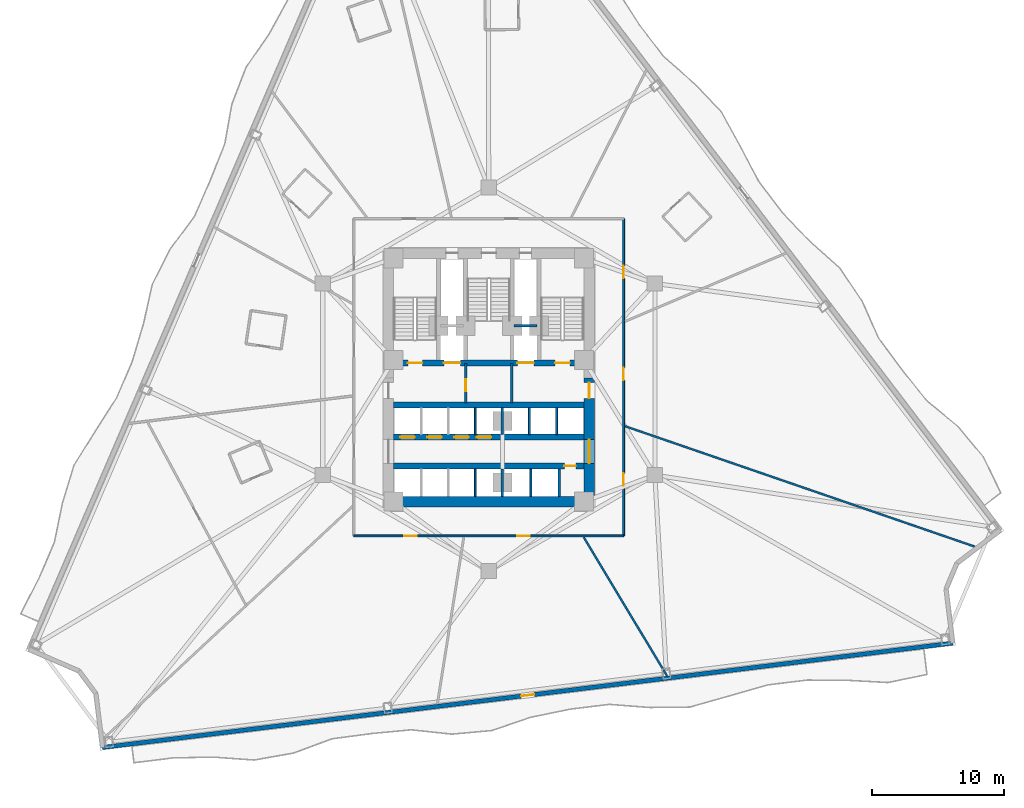
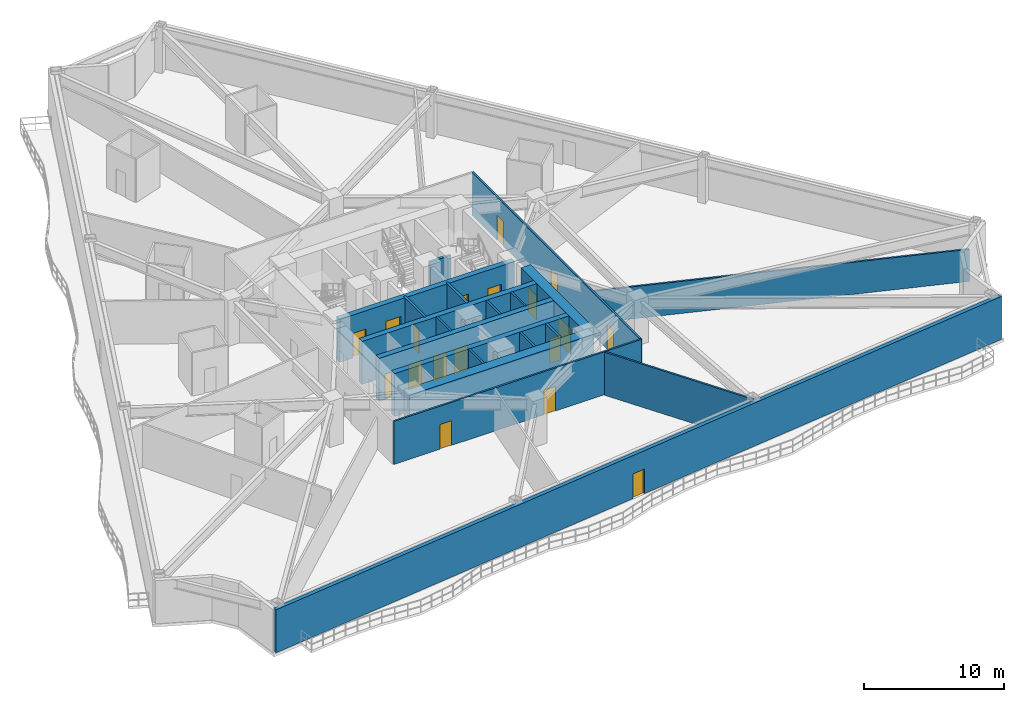
# One storey, part 4 of 12: 22 walls, 18 doors, 18 openings.
"""IFC4 building model written with IfcOpenShell, lengths in metres."""

from ifc_helpers import new_model, si_unit, direction, frame, frame_2d, origin, place, context, subcontext, project, spatial, rectangle, extrude, material, layer, layer_set, type_object, element, fill, save


model = new_model("IFC4")

# Units and contexts
model_context = context("Model", 3, precision=1e-05, world=origin(), true_north=direction((0.0, 1.0)))
body_context = subcontext(model_context, "Body", "Model", "MODEL_VIEW")
ifc_project = project(units=[si_unit("LENGTHUNIT", "METRE"), si_unit("AREAUNIT", "SQUARE_METRE"), si_unit("VOLUMEUNIT", "CUBIC_METRE"), si_unit("PLANEANGLEUNIT", "RADIAN"), si_unit("MASSUNIT", "GRAM", prefix="KILO")], contexts=[model_context])

# Site, building, storey
site_placement = place(None, origin())
site = spatial("IfcSite", under=ifc_project, at=site_placement, CompositionType="ELEMENT")
building_placement = place(site_placement, origin())
building = spatial("IfcBuilding", under=site, at=building_placement, Name="Apsidion Concourse Tower", CompositionType="ELEMENT")
storey_placement = place(building_placement, frame((0.0, 0.0, 83.0)))
storey = spatial("IfcBuildingStorey", under=building, at=storey_placement, Name="L18", CompositionType="ELEMENT", Elevation=83.0)

# Wall, opening, door
ifc_material_1 = material(Name="Precast concrete C40/50", Category="concrete")
ifc_layer_1 = layer(ifc_material_1, 0.320068359375)
ifc_layer_set_1 = layer_set([ifc_layer_1], Name="Precast concrete C40/50")
wall_type_1 = type_object("IfcWallType", Name="WL-EXT-320", PredefinedType="STANDARD", material=ifc_layer_set_1)
wall_1_placement = place(storey_placement, frame((35.0908203125, -19.961181640625, 0.0), z_axis=(0.0, 0.0, 1.0), x_axis=(-0.992546286146, -0.121868247946, 0.0)))
wall_1 = element("IfcWall", 1, at=wall_1_placement, inside=storey, type_object=wall_type_1, Name="L18 Precast Stone Facade Wall 05", PredefinedType="STANDARD", context=body_context, shape_type="SweptSolid", body=[
    extrude(rectangle(XDim=64.793212890625, YDim=0.320068359375, at=frame_2d((32.396484375, 0.0))), origin(), (0.0, 0.0, 1.0), 3.75),
])
opening_1_placement = place(wall_1_placement, frame((31.896728515625, 0.0, 0.0)))
opening_1 = element("IfcOpeningElement", 2, at=opening_1_placement, cuts=wall_1, Name="Opening D-T1R", PredefinedType="OPENING", context=body_context, shape_type="SweptSolid", body=[
    extrude(rectangle(XDim=1.0, YDim=2.14990234375, at=frame_2d((0.5, 1.074951171875))), frame((0.0, 0.169921875, 0.0), z_axis=(0.0, -1.0, 0.0), x_axis=(1.0, 0.0, 0.0)), (0.0, 0.0, 1.0), 0.340087890625),
])
ifc_material_2 = material(Name="Anodised aluminium EN AW-6063 T6", Category="aluminium")
door_type_1 = type_object("IfcDoorType", Name="DR-TER-1022R", OperationType="SINGLE_SWING_RIGHT", PredefinedType="DOOR", material=ifc_material_2)
door_1_placement = place(opening_1_placement, origin())
door_1 = element("IfcDoor", 3, at=door_1_placement, inside=storey, type_object=door_type_1, Name="L18 Balcony Access Door 2", OperationType="SINGLE_SWING_RIGHT", OverallHeight=2.14990234375, OverallWidth=1.0, PredefinedType="DOOR", context=body_context, shape_type="SweptSolid", body=[
    extrude(rectangle(XDim=1.0, YDim=2.14990234375, at=frame_2d((0.5, 1.074951171875))), frame((0.0, 0.02490234375, 0.0), z_axis=(0.0, -1.0, 0.0), x_axis=(1.0, 0.0, 0.0)), (0.0, 0.0, 1.0), 0.050048828125),
])
fill(opening_1, door_1)

# Walls
ifc_material_3 = material(Name="Gypsum plasterboard partition")
ifc_layer_2 = layer(ifc_material_3, 0.14990234375)
ifc_layer_set_2 = layer_set([ifc_layer_2], Name="Gypsum plasterboard partition")
wall_type_2 = type_object("IfcWallType", Name="WL-INT-PAR-150", PredefinedType="PARTITIONING", material=ifc_layer_set_2)
for number, where, z_axis, x_axis, name in (
    (4, (-1.02490234375, -4.179931640625, 0.0), (0.0, 0.0, 1.0), (0.0, 1.0, 0.0), "L18 Interior Partition WL-L18-B1DIV-3"),
    (5, (3.074951171875, -4.179931640625, 0.0), (0.0, 0.0, 1.0), (0.0, 1.0, 0.0), "L18 Interior Partition WL-L18-B3DIV-1"),
    (6, (5.125, -4.179931640625, 0.0), (0.0, 0.0, 1.0), (0.0, 1.0, 0.0), "L18 Interior Partition WL-L18-B3DIV-2"),
):
    element("IfcWall", number, at=place(storey_placement, frame(where, z_axis=z_axis, x_axis=x_axis)), inside=storey, type_object=wall_type_2, Name=name, PredefinedType="PARTITIONING", context=body_context, shape_type="SweptSolid", body=[
        extrude(rectangle(XDim=2.030029296875, YDim=0.14990234375, at=frame_2d((1.01513671875, 0.0))), origin(), (0.0, 0.0, 1.0), 3.75),
    ])
for number, where, z_axis, x_axis, name in (
    (7, (-1.02490234375, -8.85009765625, 0.0), (0.0, 0.0, 1.0), (0.0, 1.0, 0.0), "L18 Interior Partition WL-L18-B2DIV-3"),
    (8, (3.175048828125, -8.85009765625, 0.0), (0.0, 0.0, 1.0), (0.0, 1.0, 0.0), "L18 Interior Partition WL-L18-SHDIV-1"),
):
    element("IfcWall", number, at=place(storey_placement, frame(where, z_axis=z_axis, x_axis=x_axis)), inside=storey, type_object=wall_type_2, Name=name, PredefinedType="PARTITIONING", context=body_context, shape_type="SweptSolid", body=[
        extrude(rectangle(XDim=2.080078125, YDim=0.14990234375, at=frame_2d((1.0400390625, 0.0))), origin(), (0.0, 0.0, 1.0), 3.75),
    ])

# Wall, openings, doors
wall_2_placement = place(storey_placement, frame((10.199951171875, 12.14990234375, 0.0), z_axis=(0.0, 0.0, 1.0), x_axis=(0.0, -1.0, 0.0)))
wall_2 = element("IfcWall", 9, at=wall_2_placement, inside=storey, type_object=wall_type_2, Name="L18 Interior Partition WL-L18-CORR-02", PredefinedType="PARTITIONING", context=body_context, shape_type="SweptSolid", body=[
    extrude(rectangle(XDim=24.0, YDim=0.14990234375, at=frame_2d((12.0, 0.0))), origin(), (0.0, 0.0, 1.0), 3.75),
])
opening_2_placement = place(wall_2_placement, frame((19.245849609375, 0.0, 0.0)))
opening_2 = element("IfcOpeningElement", 10, at=opening_2_placement, cuts=wall_2, Name="Opening D-01R", PredefinedType="OPENING", context=body_context, shape_type="SweptSolid", body=[
    extrude(rectangle(XDim=0.949951171875, YDim=2.14990234375, at=frame_2d((0.47509765625, 1.074951171875))), frame((0.0, 0.0849609375, 0.0), z_axis=(0.0, -1.0, 0.0), x_axis=(1.0, 0.0, 0.0)), (0.0, 0.0, 1.0), 0.169921875),
])
opening_3_placement = place(wall_2_placement, frame((11.263427734375, 0.0, 0.0)))
opening_3 = element("IfcOpeningElement", 11, at=opening_3_placement, cuts=wall_2, Name="Opening D-01L", PredefinedType="OPENING", context=body_context, shape_type="SweptSolid", body=[
    extrude(rectangle(XDim=0.949951171875, YDim=2.14990234375, at=frame_2d((0.47509765625, 1.074951171875))), frame((0.0, 0.0849609375, 0.0), z_axis=(0.0, -1.0, 0.0), x_axis=(1.0, 0.0, 0.0)), (0.0, 0.0, 1.0), 0.169921875),
])
opening_4_placement = place(wall_2_placement, frame((3.54248046875, 0.0, 0.0)))
opening_4 = element("IfcOpeningElement", 12, at=opening_4_placement, cuts=wall_2, Name="Opening D-01R", PredefinedType="OPENING", context=body_context, shape_type="SweptSolid", body=[
    extrude(rectangle(XDim=0.949951171875, YDim=2.14990234375, at=frame_2d((0.47509765625, 1.074951171875))), frame((0.0, 0.0849609375, 0.0), z_axis=(0.0, -1.0, 0.0), x_axis=(1.0, 0.0, 0.0)), (0.0, 0.0, 1.0), 0.169921875),
])
ifc_material_4 = material(Name="Brushed stainless steel 316", Category="steel")
door_type_2 = type_object("IfcDoorType", Name="DR-INT-D01L", OperationType="SINGLE_SWING_LEFT", PredefinedType="DOOR", material=ifc_material_4)
door_2_placement = place(opening_3_placement, origin())
door_2 = element("IfcDoor", 13, at=door_2_placement, inside=storey, type_object=door_type_2, Name="L18 Corridor Entry Door 05", OperationType="SINGLE_SWING_LEFT", OverallHeight=2.14990234375, OverallWidth=0.949951171875, PredefinedType="DOOR", context=body_context, shape_type="SweptSolid", body=[
    extrude(rectangle(XDim=0.949951171875, YDim=2.14990234375, at=frame_2d((0.47509765625, 1.074951171875))), frame((0.0, 0.02490234375, 0.0), z_axis=(0.0, -1.0, 0.0), x_axis=(1.0, 0.0, 0.0)), (0.0, 0.0, 1.0), 0.050048828125),
])
fill(opening_3, door_2)
door_type_3 = type_object("IfcDoorType", Name="DR-INT-D01R", OperationType="SINGLE_SWING_RIGHT", PredefinedType="DOOR", material=ifc_material_4)
door_3_placement = place(opening_2_placement, origin())
door_3 = element("IfcDoor", 14, at=door_3_placement, inside=storey, type_object=door_type_3, Name="L18 Corridor Entry Door 04", OperationType="SINGLE_SWING_RIGHT", OverallHeight=2.14990234375, OverallWidth=0.949951171875, PredefinedType="DOOR", context=body_context, shape_type="SweptSolid", body=[
    extrude(rectangle(XDim=0.949951171875, YDim=2.14990234375, at=frame_2d((0.47509765625, 1.074951171875))), frame((0.0, 0.02490234375, 0.0), z_axis=(0.0, -1.0, 0.0), x_axis=(1.0, 0.0, 0.0)), (0.0, 0.0, 1.0), 0.050048828125),
])
fill(opening_2, door_3)
door_4_placement = place(opening_4_placement, origin())
door_4 = element("IfcDoor", 15, at=door_4_placement, inside=storey, type_object=door_type_3, Name="L18 Corridor Entry Door 06", OperationType="SINGLE_SWING_RIGHT", OverallHeight=2.14990234375, OverallWidth=0.949951171875, PredefinedType="DOOR", context=body_context, shape_type="SweptSolid", body=[
    extrude(rectangle(XDim=0.949951171875, YDim=2.14990234375, at=frame_2d((0.47509765625, 1.074951171875))), frame((0.0, 0.02490234375, 0.0), z_axis=(0.0, -1.0, 0.0), x_axis=(1.0, 0.0, 0.0)), (0.0, 0.0, 1.0), 0.050048828125),
])
fill(opening_4, door_4)

wall_3_placement = place(storey_placement, frame((10.199951171875, -11.85009765625, 0.0), z_axis=(0.0, 0.0, 1.0), x_axis=(-1.0, 0.0, 0.0)))
wall_3 = element("IfcWall", 16, at=wall_3_placement, inside=storey, type_object=wall_type_2, Name="L18 Interior Partition WL-L18-CORR-03", PredefinedType="PARTITIONING", context=body_context, shape_type="SweptSolid", body=[
    extrude(rectangle(XDim=20.39990234375, YDim=0.14990234375, at=frame_2d((10.199951171875, 0.0))), origin(), (0.0, 0.0, 1.0), 3.75),
])
opening_5_placement = place(wall_3_placement, frame((15.64306640625, 0.0, 0.0)))
opening_5 = element("IfcOpeningElement", 17, at=opening_5_placement, cuts=wall_3, Name="Opening D-01R", PredefinedType="OPENING", context=body_context, shape_type="SweptSolid", body=[
    extrude(rectangle(XDim=0.949951171875, YDim=2.14990234375, at=frame_2d((0.47509765625, 1.074951171875))), frame((0.0, 0.0849609375, 0.0), z_axis=(0.0, -1.0, 0.0), x_axis=(1.0, 0.0, 0.0)), (0.0, 0.0, 1.0), 0.169921875),
])
opening_6_placement = place(wall_3_placement, frame((7.083251953125, 0.0, 0.0)))
opening_6 = element("IfcOpeningElement", 18, at=opening_6_placement, cuts=wall_3, Name="Opening D-01L", PredefinedType="OPENING", context=body_context, shape_type="SweptSolid", body=[
    extrude(rectangle(XDim=0.949951171875, YDim=2.14990234375, at=frame_2d((0.47509765625, 1.074951171875))), frame((0.0, 0.0849609375, 0.0), z_axis=(0.0, -1.0, 0.0), x_axis=(1.0, 0.0, 0.0)), (0.0, 0.0, 1.0), 0.169921875),
])
door_5_placement = place(opening_6_placement, origin())
door_5 = element("IfcDoor", 19, at=door_5_placement, inside=storey, type_object=door_type_2, Name="L18 Corridor Entry Door 03", OperationType="SINGLE_SWING_LEFT", OverallHeight=2.14990234375, OverallWidth=0.949951171875, PredefinedType="DOOR", context=body_context, shape_type="SweptSolid", body=[
    extrude(rectangle(XDim=0.949951171875, YDim=2.14990234375, at=frame_2d((0.47509765625, 1.074951171875))), frame((0.0, 0.02490234375, 0.0), z_axis=(0.0, -1.0, 0.0), x_axis=(1.0, 0.0, 0.0)), (0.0, 0.0, 1.0), 0.050048828125),
])
fill(opening_6, door_5)
door_6_placement = place(opening_5_placement, origin())
door_6 = element("IfcDoor", 20, at=door_6_placement, inside=storey, type_object=door_type_3, Name="L18 Corridor Entry Door 02", OperationType="SINGLE_SWING_RIGHT", OverallHeight=2.14990234375, OverallWidth=0.949951171875, PredefinedType="DOOR", context=body_context, shape_type="SweptSolid", body=[
    extrude(rectangle(XDim=0.949951171875, YDim=2.14990234375, at=frame_2d((0.47509765625, 1.074951171875))), frame((0.0, 0.02490234375, 0.0), z_axis=(0.0, -1.0, 0.0), x_axis=(1.0, 0.0, 0.0)), (0.0, 0.0, 1.0), 0.050048828125),
])
fill(opening_5, door_6)

# Walls
wall_4_placement = place(storey_placement, frame((7.183349609375, -11.955078125, 0.0), z_axis=(0.0, 0.0, 1.0), x_axis=(0.515041693949, -0.857165126154, 0.0)))
element("IfcWall", 21, at=wall_4_placement, inside=storey, type_object=wall_type_2, Name="L18 Interior Partition WL-L18-RAD-09-1", PredefinedType="PARTITIONING", context=body_context, shape_type="SweptSolid", body=[
    extrude(rectangle(XDim=12.229736328125, YDim=0.14990234375, at=frame_2d((6.11474609375, 0.0))), origin(), (0.0, 0.0, 1.0), 3.75),
])
wall_5_placement = place(storey_placement, frame((10.304931640625, -3.54833984375, 0.0), z_axis=(0.0, 0.0, 1.0), x_axis=(0.9455199321, -0.325564214867, 0.0)))
element("IfcWall", 22, at=wall_5_placement, inside=storey, type_object=wall_type_2, Name="L18 Interior Partition WL-L18-RAD-10-1", PredefinedType="PARTITIONING", context=body_context, shape_type="SweptSolid", body=[
    extrude(rectangle(XDim=27.983154296875, YDim=0.14990234375, at=frame_2d((13.99169921875, 0.0))), origin(), (0.0, 0.0, 1.0), 2.798095703125),
])
ifc_layer_3 = layer(ifc_material_3, 0.179931640625)
ifc_layer_set_3 = layer_set([ifc_layer_3], Name="Gypsum plasterboard partition")
wall_type_3 = type_object("IfcWallType", Name="WL-INT-PAR-180", PredefinedType="PARTITIONING", material=ifc_layer_set_3)
wall_6_placement = place(storey_placement, frame((1.02490234375, -4.179931640625, 0.0), z_axis=(0.0, 0.0, 1.0), x_axis=(0.0, 1.0, 0.0)))
element("IfcWall", 23, at=wall_6_placement, inside=storey, type_object=wall_type_3, Name="L18 Interior Partition WL-L18-B1END", PredefinedType="PARTITIONING", context=body_context, shape_type="SweptSolid", body=[
    extrude(rectangle(XDim=2.030029296875, YDim=0.179931640625, at=frame_2d((1.01513671875, 0.0))), origin(), (0.0, 0.0, 1.0), 2.798095703125),
])
wall_7_placement = place(storey_placement, frame((1.02490234375, -8.85009765625, 0.0), z_axis=(0.0, 0.0, 1.0), x_axis=(0.0, 1.0, 0.0)))
element("IfcWall", 24, at=wall_7_placement, inside=storey, type_object=wall_type_3, Name="L18 Interior Partition WL-L18-B2END", PredefinedType="PARTITIONING", context=body_context, shape_type="SweptSolid", body=[
    extrude(rectangle(XDim=2.080078125, YDim=0.179931640625, at=frame_2d((1.0400390625, 0.0))), origin(), (0.0, 0.0, 1.0), 2.798095703125),
])
wall_8_placement = place(storey_placement, frame((5.324951171875, -8.85009765625, 0.0), z_axis=(0.0, 0.0, 1.0), x_axis=(0.0, 1.0, 0.0)))
element("IfcWall", 25, at=wall_8_placement, inside=storey, type_object=wall_type_3, Name="L18 Interior Partition WL-L18-SHDIV-2", PredefinedType="PARTITIONING", context=body_context, shape_type="SweptSolid", body=[
    extrude(rectangle(XDim=2.080078125, YDim=0.179931640625, at=frame_2d((1.0400390625, 0.0))), origin(), (0.0, 0.0, 1.0), 3.75),
])
ifc_layer_4 = layer(ifc_material_3, 0.199951171875)
ifc_layer_set_4 = layer_set([ifc_layer_4], Name="Gypsum plasterboard partition")
wall_type_4 = type_object("IfcWallType", Name="WL-INT-PAR-200", PredefinedType="PARTITIONING", material=ifc_layer_set_4)
wall_9_placement = place(storey_placement, frame((1.919921875, 4.050048828125, 0.0), z_axis=(0.0, 0.0, 1.0), x_axis=(1.0, 0.0, 0.0)))
element("IfcWall", 26, at=wall_9_placement, inside=storey, type_object=wall_type_4, Name="L18 Interior Partition WL-L18-FF2-N", PredefinedType="PARTITIONING", context=body_context, shape_type="SweptSolid", body=[
    extrude(rectangle(XDim=1.72998046875, YDim=0.199951171875, at=frame_2d((0.864990234375, 0.0))), origin(), (0.0, 0.0, 1.0), 3.75),
])

# Wall, opening, door
wall_10_placement = place(storey_placement, frame((-1.739990234375, -1.780029296875, 0.0), z_axis=(0.0, 0.0, 1.0), x_axis=(0.0, 1.0, 0.0)))
wall_10 = element("IfcWall", 27, at=wall_10_placement, inside=storey, type_object=wall_type_4, Name="L18 Interior Partition WL-L18-FF1-E", PredefinedType="PARTITIONING", context=body_context, shape_type="SweptSolid", body=[
    extrude(rectangle(XDim=2.97998046875, YDim=0.199951171875, at=frame_2d((1.489990234375, 0.0))), origin(), (0.0, 0.0, 1.0), 3.75),
])
opening_7_placement = place(wall_10_placement, frame((0.889892578125, 0.0, 0.0)))
opening_7 = element("IfcOpeningElement", 28, at=opening_7_placement, cuts=wall_10, Name="Opening D-05R", PredefinedType="OPENING", context=body_context, shape_type="SweptSolid", body=[
    extrude(rectangle(XDim=0.8798828125, YDim=2.14990234375, at=frame_2d((0.43994140625, 1.074951171875))), frame((0.0, 0.10986328125, 0.0), z_axis=(0.0, -1.0, 0.0), x_axis=(1.0, 0.0, 0.0)), (0.0, 0.0, 1.0), 0.219970703125),
])
door_type_4 = type_object("IfcDoorType", Name="DR-INT-D05R", OperationType="SINGLE_SWING_RIGHT", PredefinedType="DOOR", material=ifc_material_4)
door_7_placement = place(opening_7_placement, origin())
door_7 = element("IfcDoor", 29, at=door_7_placement, inside=storey, type_object=door_type_4, Name="L18 Core BMS Door", OperationType="SINGLE_SWING_RIGHT", OverallHeight=2.14990234375, OverallWidth=0.8798828125, PredefinedType="DOOR", context=body_context, shape_type="SweptSolid", body=[
    extrude(rectangle(XDim=0.8798828125, YDim=2.14990234375, at=frame_2d((0.43994140625, 1.074951171875))), frame((0.0, 0.02490234375, 0.0), z_axis=(0.0, -1.0, 0.0), x_axis=(1.0, 0.0, 0.0)), (0.0, 0.0, 1.0), 0.050048828125),
])
fill(opening_7, door_7)

# Wall
wall_11_placement = place(storey_placement, frame((1.739990234375, -1.780029296875, 0.0), z_axis=(0.0, 0.0, 1.0), x_axis=(0.0, 1.0, 0.0)))
element("IfcWall", 30, at=wall_11_placement, inside=storey, type_object=wall_type_4, Name="L18 Interior Partition WL-L18-FF2-W", PredefinedType="PARTITIONING", context=body_context, shape_type="SweptSolid", body=[
    extrude(rectangle(XDim=2.97998046875, YDim=0.199951171875, at=frame_2d((1.489990234375, 0.0))), origin(), (0.0, 0.0, 1.0), 3.75),
])

# Wall, openings, doors
ifc_material_5 = material(Name="Concrete C60/75", Category="concrete")
ifc_layer_5 = layer(ifc_material_5, 0.449951171875)
ifc_layer_set_5 = layer_set([ifc_layer_5], Name="Concrete C60/75")
wall_type_5 = type_object("IfcWallType", Name="WL-SH-450", PredefinedType="SHEAR", material=ifc_layer_set_5)
wall_12_placement = place(storey_placement, frame((-7.199951171875, 1.22509765625, 0.0), z_axis=(0.0, 0.0, 1.0), x_axis=(1.0, 0.0, 0.0)))
wall_12 = element("IfcWall", 31, at=wall_12_placement, inside=storey, type_object=wall_type_5, Name="L18 Central Core Shear Wall M1", PredefinedType="SHEAR", context=body_context, shape_type="SweptSolid", body=[
    extrude(rectangle(XDim=14.39990234375, YDim=0.449951171875, at=frame_2d((7.199951171875, 0.0))), origin(), (0.0, 0.0, 1.0), 3.75),
])
opening_8_placement = place(wall_12_placement, frame((3.794921875, 0.0, 0.0)))
opening_8 = element("IfcOpeningElement", 32, at=opening_8_placement, cuts=wall_12, Name="Opening LD-FF", PredefinedType="OPENING", context=body_context, shape_type="SweptSolid", body=[
    extrude(rectangle(XDim=1.25, YDim=2.25, at=frame_2d((0.625, 1.125))), frame((0.0, 0.23486328125, 0.0), z_axis=(0.0, -1.0, 0.0), x_axis=(1.0, 0.0, 0.0)), (0.0, 0.0, 1.0), 0.469970703125),
])
opening_9_placement = place(wall_12_placement, frame((9.35498046875, 0.0, 0.0)))
opening_9 = element("IfcOpeningElement", 33, at=opening_9_placement, cuts=wall_12, Name="Opening LD-FF", PredefinedType="OPENING", context=body_context, shape_type="SweptSolid", body=[
    extrude(rectangle(XDim=1.25, YDim=2.25, at=frame_2d((0.625, 1.125))), frame((0.0, 0.23486328125, 0.0), z_axis=(0.0, -1.0, 0.0), x_axis=(1.0, 0.0, 0.0)), (0.0, 0.0, 1.0), 0.469970703125),
])
opening_10_placement = place(wall_12_placement, frame((1.074951171875, 0.0, 0.0)))
opening_10 = element("IfcOpeningElement", 34, at=opening_10_placement, cuts=wall_12, Name="Opening D-STL", PredefinedType="OPENING", context=body_context, shape_type="SweptSolid", body=[
    extrude(rectangle(XDim=1.10009765625, YDim=2.14990234375, at=frame_2d((0.550048828125, 1.074951171875))), frame((0.0, 0.23486328125, 0.0), z_axis=(0.0, -1.0, 0.0), x_axis=(1.0, 0.0, 0.0)), (0.0, 0.0, 1.0), 0.469970703125),
])
opening_11_placement = place(wall_12_placement, frame((12.22509765625, 0.0, 0.0)))
opening_11 = element("IfcOpeningElement", 35, at=opening_11_placement, cuts=wall_12, Name="Opening D-STR", PredefinedType="OPENING", context=body_context, shape_type="SweptSolid", body=[
    extrude(rectangle(XDim=1.10009765625, YDim=2.14990234375, at=frame_2d((0.550048828125, 1.074951171875))), frame((0.0, 0.23486328125, 0.0), z_axis=(0.0, -1.0, 0.0), x_axis=(1.0, 0.0, 0.0)), (0.0, 0.0, 1.0), 0.469970703125),
])
door_type_5 = type_object("IfcDoorType", Name="DR-INT-ST1L", OperationType="SINGLE_SWING_LEFT", PredefinedType="DOOR", material=ifc_material_4)
door_8_placement = place(opening_10_placement, origin())
door_8 = element("IfcDoor", 36, at=door_8_placement, inside=storey, type_object=door_type_5, Name="L18 Core Exit Stair ST1 Door", OperationType="SINGLE_SWING_LEFT", OverallHeight=2.14990234375, OverallWidth=1.10009765625, PredefinedType="DOOR", context=body_context, shape_type="SweptSolid", body=[
    extrude(rectangle(XDim=1.10009765625, YDim=2.14990234375, at=frame_2d((0.550048828125, 1.074951171875))), frame((0.0, 0.02490234375, 0.0), z_axis=(0.0, -1.0, 0.0), x_axis=(1.0, 0.0, 0.0)), (0.0, 0.0, 1.0), 0.050048828125),
])
fill(opening_10, door_8)
door_type_6 = type_object("IfcDoorType", Name="DR-INT-ST1R", OperationType="SINGLE_SWING_RIGHT", PredefinedType="DOOR", material=ifc_material_4)
door_9_placement = place(opening_11_placement, origin())
door_9 = element("IfcDoor", 37, at=door_9_placement, inside=storey, type_object=door_type_6, Name="L18 Core Exit Stair ST2 Door", OperationType="SINGLE_SWING_RIGHT", OverallHeight=2.14990234375, OverallWidth=1.10009765625, PredefinedType="DOOR", context=body_context, shape_type="SweptSolid", body=[
    extrude(rectangle(XDim=1.10009765625, YDim=2.14990234375, at=frame_2d((0.550048828125, 1.074951171875))), frame((0.0, 0.02490234375, 0.0), z_axis=(0.0, -1.0, 0.0), x_axis=(1.0, 0.0, 0.0)), (0.0, 0.0, 1.0), 0.050048828125),
])
fill(opening_11, door_9)
door_type_7 = type_object("IfcDoorType", Name="DR-LD-FSAE", OperationType="DOUBLE_DOOR_SLIDING", PredefinedType="DOOR", material=ifc_material_4)
door_10_placement = place(opening_8_placement, origin())
door_10 = element("IfcDoor", 38, at=door_10_placement, inside=storey, type_object=door_type_7, Name="L18 Lift Landing Door FF1", OperationType="DOUBLE_DOOR_SLIDING", OverallHeight=2.25, OverallWidth=1.25, PredefinedType="DOOR", context=body_context, shape_type="SweptSolid", body=[
    extrude(rectangle(XDim=1.25, YDim=2.25, at=frame_2d((0.625, 1.125))), frame((0.0, 0.02490234375, 0.0), z_axis=(0.0, -1.0, 0.0), x_axis=(1.0, 0.0, 0.0)), (0.0, 0.0, 1.0), 0.050048828125),
])
fill(opening_8, door_10)
door_11_placement = place(opening_9_placement, origin())
door_11 = element("IfcDoor", 39, at=door_11_placement, inside=storey, type_object=door_type_7, Name="L18 Lift Landing Door FF2", OperationType="DOUBLE_DOOR_SLIDING", OverallHeight=2.25, OverallWidth=1.25, PredefinedType="DOOR", context=body_context, shape_type="SweptSolid", body=[
    extrude(rectangle(XDim=1.25, YDim=2.25, at=frame_2d((0.625, 1.125))), frame((0.0, 0.02490234375, 0.0), z_axis=(0.0, -1.0, 0.0), x_axis=(1.0, 0.0, 0.0)), (0.0, 0.0, 1.0), 0.050048828125),
])
fill(opening_9, door_11)

# Wall
wall_13_placement = place(storey_placement, frame((-7.199951171875, -1.949951171875, 0.0), z_axis=(0.0, 0.0, 1.0), x_axis=(1.0, 0.0, 0.0)))
element("IfcWall", 40, at=wall_13_placement, inside=storey, type_object=wall_type_5, Name="L18 Central Core Shear Wall M2", PredefinedType="SHEAR", context=body_context, shape_type="SweptSolid", body=[
    extrude(rectangle(XDim=14.39990234375, YDim=0.449951171875, at=frame_2d((7.199951171875, 0.0))), origin(), (0.0, 0.0, 1.0), 3.75),
])

# Wall, openings, doors
wall_14_placement = place(storey_placement, frame((-7.199951171875, -4.3798828125, 0.0), z_axis=(0.0, 0.0, 1.0), x_axis=(1.0, 0.0, 0.0)))
wall_14 = element("IfcWall", 41, at=wall_14_placement, inside=storey, type_object=wall_type_5, Name="L18 Central Core Shear Wall LA", PredefinedType="SHEAR", context=body_context, shape_type="SweptSolid", body=[
    extrude(rectangle(XDim=14.39990234375, YDim=0.449951171875, at=frame_2d((7.199951171875, 0.0))), origin(), (0.0, 0.0, 1.0), 3.75),
])
opening_12_placement = place(wall_14_placement, frame((0.5, 0.0, 0.0)))
opening_12 = element("IfcOpeningElement", 42, at=opening_12_placement, cuts=wall_14, Name="Opening LD-P1", PredefinedType="OPENING", context=body_context, shape_type="SweptSolid", body=[
    extrude(rectangle(XDim=1.10009765625, YDim=2.199951171875, at=frame_2d((0.550048828125, 1.10009765625))), frame((0.0, 0.23486328125, 0.0), z_axis=(0.0, -1.0, 0.0), x_axis=(1.0, 0.0, 0.0)), (0.0, 0.0, 1.0), 0.469970703125),
])
opening_13_placement = place(wall_14_placement, frame((2.550048828125, 0.0, 0.0)))
opening_13 = element("IfcOpeningElement", 43, at=opening_13_placement, cuts=wall_14, Name="Opening LD-P1", PredefinedType="OPENING", context=body_context, shape_type="SweptSolid", body=[
    extrude(rectangle(XDim=1.10009765625, YDim=2.199951171875, at=frame_2d((0.550048828125, 1.10009765625))), frame((0.0, 0.23486328125, 0.0), z_axis=(0.0, -1.0, 0.0), x_axis=(1.0, 0.0, 0.0)), (0.0, 0.0, 1.0), 0.469970703125),
])
opening_14_placement = place(wall_14_placement, frame((4.60009765625, 0.0, 0.0)))
opening_14 = element("IfcOpeningElement", 44, at=opening_14_placement, cuts=wall_14, Name="Opening LD-P1", PredefinedType="OPENING", context=body_context, shape_type="SweptSolid", body=[
    extrude(rectangle(XDim=1.10009765625, YDim=2.199951171875, at=frame_2d((0.550048828125, 1.10009765625))), frame((0.0, 0.23486328125, 0.0), z_axis=(0.0, -1.0, 0.0), x_axis=(1.0, 0.0, 0.0)), (0.0, 0.0, 1.0), 0.469970703125),
])
opening_15_placement = place(wall_14_placement, frame((6.300048828125, 0.0, 0.0)))
opening_15 = element("IfcOpeningElement", 45, at=opening_15_placement, cuts=wall_14, Name="Opening LD-P1", PredefinedType="OPENING", context=body_context, shape_type="SweptSolid", body=[
    extrude(rectangle(XDim=1.10009765625, YDim=2.199951171875, at=frame_2d((0.550048828125, 1.10009765625))), frame((0.0, 0.23486328125, 0.0), z_axis=(0.0, -1.0, 0.0), x_axis=(1.0, 0.0, 0.0)), (0.0, 0.0, 1.0), 0.469970703125),
])
door_type_8 = type_object("IfcDoorType", Name="DR-LD-PASS", OperationType="DOUBLE_DOOR_SLIDING", PredefinedType="DOOR", material=ifc_material_4)
door_12_placement = place(opening_12_placement, origin())
door_12 = element("IfcDoor", 46, at=door_12_placement, inside=storey, type_object=door_type_8, Name="L18 Lift Landing Door P1", OperationType="DOUBLE_DOOR_SLIDING", OverallHeight=2.199951171875, OverallWidth=1.10009765625, PredefinedType="DOOR", context=body_context, shape_type="SweptSolid", body=[
    extrude(rectangle(XDim=1.10009765625, YDim=2.199951171875, at=frame_2d((0.550048828125, 1.10009765625))), frame((0.0, 0.02490234375, 0.0), z_axis=(0.0, -1.0, 0.0), x_axis=(1.0, 0.0, 0.0)), (0.0, 0.0, 1.0), 0.050048828125),
])
fill(opening_12, door_12)
door_13_placement = place(opening_13_placement, origin())
door_13 = element("IfcDoor", 47, at=door_13_placement, inside=storey, type_object=door_type_8, Name="L18 Lift Landing Door P2", OperationType="DOUBLE_DOOR_SLIDING", OverallHeight=2.199951171875, OverallWidth=1.10009765625, PredefinedType="DOOR", context=body_context, shape_type="SweptSolid", body=[
    extrude(rectangle(XDim=1.10009765625, YDim=2.199951171875, at=frame_2d((0.550048828125, 1.10009765625))), frame((0.0, 0.02490234375, 0.0), z_axis=(0.0, -1.0, 0.0), x_axis=(1.0, 0.0, 0.0)), (0.0, 0.0, 1.0), 0.050048828125),
])
fill(opening_13, door_13)
door_14_placement = place(opening_14_placement, origin())
door_14 = element("IfcDoor", 48, at=door_14_placement, inside=storey, type_object=door_type_8, Name="L18 Lift Landing Door P3", OperationType="DOUBLE_DOOR_SLIDING", OverallHeight=2.199951171875, OverallWidth=1.10009765625, PredefinedType="DOOR", context=body_context, shape_type="SweptSolid", body=[
    extrude(rectangle(XDim=1.10009765625, YDim=2.199951171875, at=frame_2d((0.550048828125, 1.10009765625))), frame((0.0, 0.02490234375, 0.0), z_axis=(0.0, -1.0, 0.0), x_axis=(1.0, 0.0, 0.0)), (0.0, 0.0, 1.0), 0.050048828125),
])
fill(opening_14, door_14)
door_15_placement = place(opening_15_placement, origin())
door_15 = element("IfcDoor", 49, at=door_15_placement, inside=storey, type_object=door_type_8, Name="L18 Lift Landing Door P4", OperationType="DOUBLE_DOOR_SLIDING", OverallHeight=2.199951171875, OverallWidth=1.10009765625, PredefinedType="DOOR", context=body_context, shape_type="SweptSolid", body=[
    extrude(rectangle(XDim=1.10009765625, YDim=2.199951171875, at=frame_2d((0.550048828125, 1.10009765625))), frame((0.0, 0.02490234375, 0.0), z_axis=(0.0, -1.0, 0.0), x_axis=(1.0, 0.0, 0.0)), (0.0, 0.0, 1.0), 0.050048828125),
])
fill(opening_15, door_15)

# Wall, opening, door
wall_15_placement = place(storey_placement, frame((-7.199951171875, -6.570068359375, 0.0), z_axis=(0.0, 0.0, 1.0), x_axis=(1.0, 0.0, 0.0)))
wall_15 = element("IfcWall", 50, at=wall_15_placement, inside=storey, type_object=wall_type_5, Name="L18 Central Core Shear Wall LB", PredefinedType="SHEAR", context=body_context, shape_type="SweptSolid", body=[
    extrude(rectangle(XDim=14.39990234375, YDim=0.449951171875, at=frame_2d((7.199951171875, 0.0))), origin(), (0.0, 0.0, 1.0), 3.75),
])
opening_16_placement = place(wall_15_placement, frame((12.909912109375, 0.0, 0.0)))
opening_16 = element("IfcOpeningElement", 51, at=opening_16_placement, cuts=wall_15, Name="Opening D-05L", PredefinedType="OPENING", context=body_context, shape_type="SweptSolid", body=[
    extrude(rectangle(XDim=0.8798828125, YDim=2.14990234375, at=frame_2d((0.43994140625, 1.074951171875))), frame((0.0, 0.23486328125, 0.0), z_axis=(0.0, -1.0, 0.0), x_axis=(1.0, 0.0, 0.0)), (0.0, 0.0, 1.0), 0.469970703125),
])
door_type_9 = type_object("IfcDoorType", Name="DR-INT-D05L", OperationType="SINGLE_SWING_LEFT", PredefinedType="DOOR", material=ifc_material_4)
door_16_placement = place(opening_16_placement, origin())
door_16 = element("IfcDoor", 52, at=door_16_placement, inside=storey, type_object=door_type_9, Name="L18 Cleaners Store Door", OperationType="SINGLE_SWING_LEFT", OverallHeight=2.14990234375, OverallWidth=0.8798828125, PredefinedType="DOOR", context=body_context, shape_type="SweptSolid", body=[
    extrude(rectangle(XDim=0.8798828125, YDim=2.14990234375, at=frame_2d((0.43994140625, 1.074951171875))), frame((0.0, 0.02490234375, 0.0), z_axis=(0.0, -1.0, 0.0), x_axis=(1.0, 0.0, 0.0)), (0.0, 0.0, 1.0), 0.050048828125),
])
fill(opening_16, door_16)

# Wall, openings, doors
ifc_layer_6 = layer(ifc_material_5, 0.800048828125)
ifc_layer_set_6 = layer_set([ifc_layer_6], Name="Concrete C60/75")
wall_type_6 = type_object("IfcWallType", Name="WL-SH-800", PredefinedType="SHEAR", material=ifc_layer_set_6)
wall_16_placement = place(storey_placement, frame((7.60009765625, -8.85009765625, 0.0), z_axis=(0.0, 0.0, 1.0), x_axis=(0.0, 1.0, 0.0)))
wall_16 = element("IfcWall", 53, at=wall_16_placement, inside=storey, type_object=wall_type_6, Name="L18 Central Core Shear Wall ES", PredefinedType="SHEAR", context=body_context, shape_type="SweptSolid", body=[
    extrude(rectangle(XDim=8.9501953125, YDim=0.800048828125, at=frame_2d((4.47509765625, 0.0))), origin(), (0.0, 0.0, 1.0), 3.75),
])
opening_17_placement = place(wall_16_placement, frame((2.489990234375, 0.0, 0.0)))
opening_17 = element("IfcOpeningElement", 54, at=opening_17_placement, cuts=wall_16, Name="Opening D-06D", PredefinedType="OPENING", context=body_context, shape_type="SweptSolid", body=[
    extrude(rectangle(XDim=1.800048828125, YDim=2.199951171875, at=frame_2d((0.89990234375, 1.10009765625))), frame((0.0, 0.41015625, 0.0), z_axis=(0.0, -1.0, 0.0), x_axis=(1.0, 0.0, 0.0)), (0.0, 0.0, 1.0), 0.820068359375),
])
opening_18_placement = place(wall_16_placement, frame((7.39990234375, 0.0, 0.0)))
opening_18 = element("IfcOpeningElement", 55, at=opening_18_placement, cuts=wall_16, Name="Opening D-FFR", PredefinedType="OPENING", context=body_context, shape_type="SweptSolid", body=[
    extrude(rectangle(XDim=1.199951171875, YDim=2.14990234375, at=frame_2d((0.60009765625, 1.074951171875))), frame((0.0, 0.41015625, 0.0), z_axis=(0.0, -1.0, 0.0), x_axis=(1.0, 0.0, 0.0)), (0.0, 0.0, 1.0), 0.820068359375),
])
door_type_10 = type_object("IfcDoorType", Name="DR-INT-D06D", OperationType="DOUBLE_DOOR_SINGLE_SWING", PredefinedType="DOOR", material=ifc_material_4)
door_17_placement = place(opening_17_placement, origin())
door_17 = element("IfcDoor", 56, at=door_17_placement, inside=storey, type_object=door_type_10, Name="L18 Passenger Lift Lobby ES Portal Door", OperationType="DOUBLE_DOOR_SINGLE_SWING", OverallHeight=2.199951171875, OverallWidth=1.800048828125, PredefinedType="DOOR", context=body_context, shape_type="SweptSolid", body=[
    extrude(rectangle(XDim=1.800048828125, YDim=2.199951171875, at=frame_2d((0.89990234375, 1.10009765625))), frame((0.0, 0.02490234375, 0.0), z_axis=(0.0, -1.0, 0.0), x_axis=(1.0, 0.0, 0.0)), (0.0, 0.0, 1.0), 0.050048828125),
])
fill(opening_17, door_17)
door_type_11 = type_object("IfcDoorType", Name="DR-INT-FFR", OperationType="SINGLE_SWING_RIGHT", PredefinedType="DOOR", material=ifc_material_4)
door_18_placement = place(opening_18_placement, origin())
door_18 = element("IfcDoor", 57, at=door_18_placement, inside=storey, type_object=door_type_11, Name="L18 Firefighting Lift Lobby FF2 Door", OperationType="SINGLE_SWING_RIGHT", OverallHeight=2.14990234375, OverallWidth=1.199951171875, PredefinedType="DOOR", context=body_context, shape_type="SweptSolid", body=[
    extrude(rectangle(XDim=1.199951171875, YDim=2.14990234375, at=frame_2d((0.60009765625, 1.074951171875))), frame((0.0, 0.02490234375, 0.0), z_axis=(0.0, -1.0, 0.0), x_axis=(1.0, 0.0, 0.0)), (0.0, 0.0, 1.0), 0.050048828125),
])
fill(opening_18, door_18)

# Wall
wall_17_placement = place(storey_placement, frame((-7.60009765625, -9.25, 0.0), z_axis=(0.0, 0.0, 1.0), x_axis=(1.0, 0.0, 0.0)))
element("IfcWall", 58, at=wall_17_placement, inside=storey, type_object=wall_type_6, Name="L18 Central Core Shear Wall S", PredefinedType="SHEAR", context=body_context, shape_type="SweptSolid", body=[
    extrude(rectangle(XDim=15.2001953125, YDim=0.800048828125, at=frame_2d((7.60009765625, 0.0))), origin(), (0.0, 0.0, 1.0), 3.75),
])

save(model, "model.ifc")
